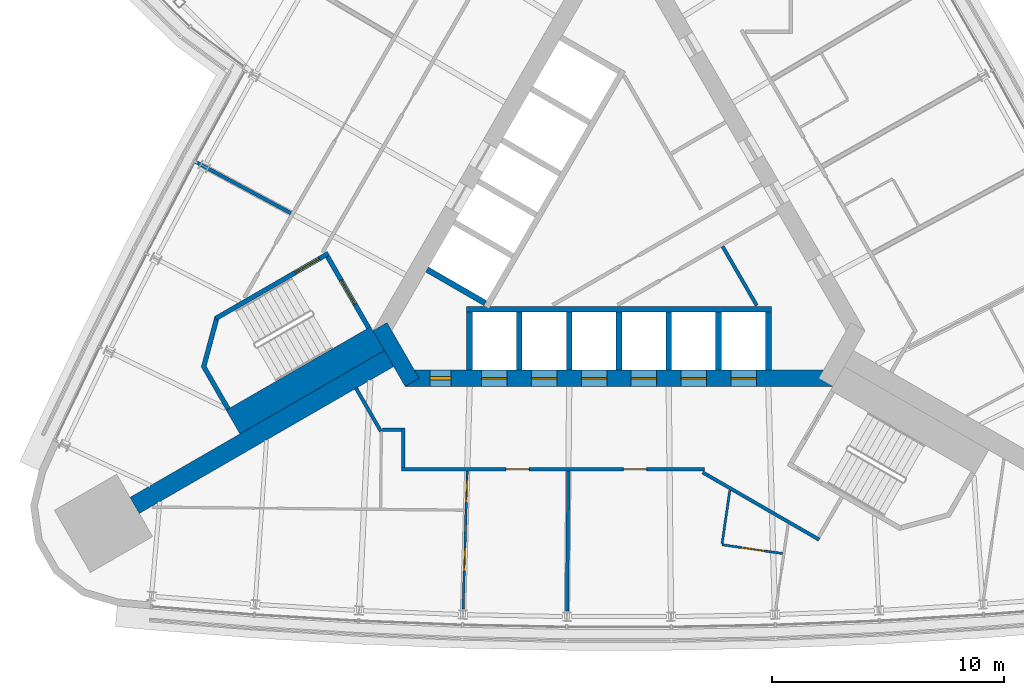
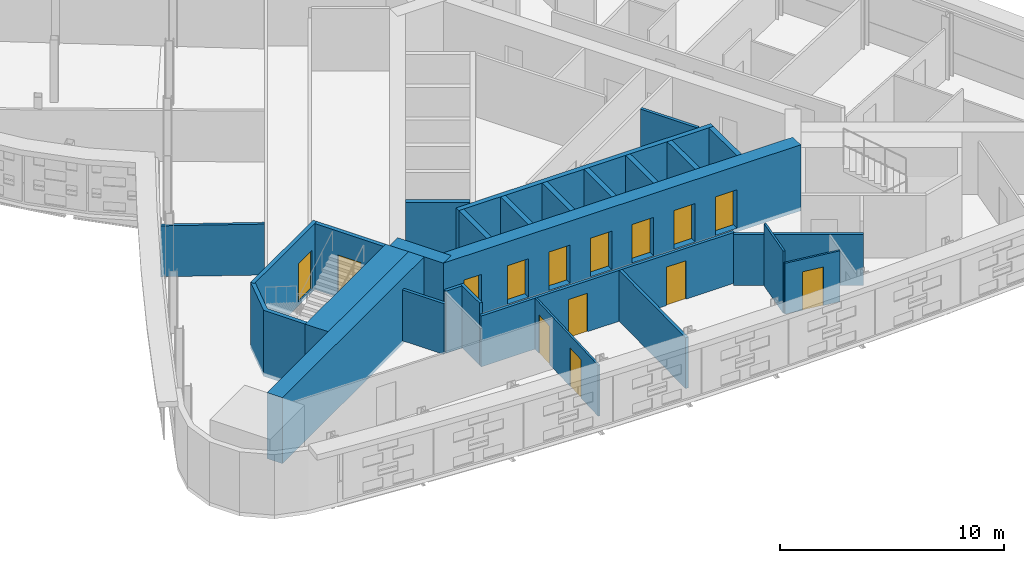
# One storey, part 11 of 17: 27 walls, 14 doors, 14 openings.
"""IFC4 building model written with IfcOpenShell, lengths in metres."""

from ifc_helpers import new_model, si_unit, direction, frame, frame_2d, origin, place, context, subcontext, project, spatial, polyline, rectangle, outline, extrude, material, layer, layer_set, type_object, element, fill, save


model = new_model("IFC4")

# Units and contexts
model_context = context("Model", 3, precision=1e-05, world=origin(), true_north=direction((0.0, 1.0)))
body_context = subcontext(model_context, "Body", "Model", "MODEL_VIEW")
ifc_project = project(units=[si_unit("LENGTHUNIT", "METRE"), si_unit("AREAUNIT", "SQUARE_METRE"), si_unit("VOLUMEUNIT", "CUBIC_METRE"), si_unit("PLANEANGLEUNIT", "RADIAN"), si_unit("MASSUNIT", "GRAM", prefix="KILO")], contexts=[model_context])

# Site, building, storey
site_placement = place(None, origin())
site = spatial("IfcSite", under=ifc_project, at=site_placement, CompositionType="ELEMENT")
building_placement = place(site_placement, origin())
building = spatial("IfcBuilding", under=site, at=building_placement, Name="Noor Cloister Tower", CompositionType="ELEMENT")
storey_placement = place(building_placement, frame((0.0, 0.0, 98.699951171875)))
storey = spatial("IfcBuildingStorey", under=building, at=storey_placement, Name="L25", CompositionType="ELEMENT", Elevation=98.699951171875)

# Walls
ifc_material_1 = material(Name="Concrete C80/95", Category="concrete")
ifc_layer_1 = layer(ifc_material_1, 0.800048828125)
ifc_layer_set_1 = layer_set([ifc_layer_1], Name="Buttress wall 800 C80/95")
wall_type_1 = type_object("IfcWallType", Name="Buttress wall 800 C80/95", PredefinedType="SHEAR", material=ifc_layer_set_1)
wall_1_placement = place(storey_placement, frame((-9.921630859375, -5.728271484375, -0.199951171875), z_axis=(0.0, 0.0, 1.0), x_axis=(-0.866029086277, -0.499993621681, 0.0)))
element("IfcWall", 1, at=wall_1_placement, inside=storey, type_object=wall_type_1, Name="Buttress wall SW L25", PredefinedType="SHEAR", context=body_context, shape_type="SweptSolid", body=[
    extrude(rectangle(XDim=12.677490234375, YDim=0.800048828125, at=frame_2d((6.3388671875, 0.0))), origin(), (0.0, 0.0, 1.0), 3.60009765625),
])
ifc_material_2 = material(Name="Concrete C30/37", Category="concrete")
ifc_layer_2 = layer(ifc_material_2, 0.14990234375)
ifc_layer_set_2 = layer_set([ifc_layer_2], Name="Core partition 150 C30/37")
wall_type_2 = type_object("IfcWallType", Name="Core partition 150 C30/37", PredefinedType="PARTITIONING", material=ifc_layer_set_2)
wall_2_placement = place(storey_placement, frame((5.944091796875, -3.439208984375, 0.0), z_axis=(0.0, 0.0, 1.0), x_axis=(-0.499997367627, 0.86602692358, 0.0)))
element("IfcWall", 2, at=wall_2_placement, inside=storey, type_object=wall_type_2, Name="Core room partition L25 2", PredefinedType="PARTITIONING", context=body_context, shape_type="SweptSolid", body=[
    extrude(rectangle(XDim=2.94677734375, YDim=0.14990234375, at=frame_2d((1.473388671875, 0.0))), origin(), (0.0, 0.0, 1.0), 3.400146484375),
])

# Wall, openings, doors
ifc_material_3 = material(Name="Concrete C80/95", Category="concrete")
ifc_layer_3 = layer(ifc_material_3, 0.699951171875)
ifc_layer_set_3 = layer_set([ifc_layer_3], Name="Core wall 700 C80/95")
wall_type_3 = type_object("IfcWallType", Name="Core wall 700 C80/95", PredefinedType="SHEAR", material=ifc_layer_set_3)
wall_3_placement = place(storey_placement, frame((-9.228759765625, -6.578125, -0.199951171875), z_axis=(0.0, 0.0, 1.0), x_axis=(1.0, 0.0, 0.0)))
wall_3 = element("IfcWall", 3, at=wall_3_placement, inside=storey, type_object=wall_type_3, Name="Core wall L25 1", PredefinedType="SHEAR", context=body_context, shape_type="SweptSolid", body=[
    extrude(rectangle(XDim=18.45751953125, YDim=0.699951171875, at=frame_2d((9.228759765625, 0.0))), origin(), (0.0, 0.0, 1.0), 3.60009765625),
])
opening_1_placement = place(wall_3_placement, frame((3.3037109375, 0.0, 0.199951171875)))
opening_1 = element("IfcOpeningElement", 4, at=opening_1_placement, cuts=wall_3, Name="Opening L25-LR1", PredefinedType="OPENING", context=body_context, shape_type="SweptSolid", body=[
    extrude(rectangle(XDim=1.10009765625, YDim=2.10009765625, at=frame_2d((0.550048828125, 1.050048828125))), frame((0.0, 0.35986328125, 0.0), z_axis=(0.0, -1.0, 0.0), x_axis=(1.0, 0.0, 0.0)), (0.0, 0.0, 1.0), 0.719970703125),
])
opening_2_placement = place(wall_3_placement, frame((5.45361328125, 0.0, 0.199951171875)))
opening_2 = element("IfcOpeningElement", 5, at=opening_2_placement, cuts=wall_3, Name="Opening L25-LR2", PredefinedType="OPENING", context=body_context, shape_type="SweptSolid", body=[
    extrude(rectangle(XDim=1.10009765625, YDim=2.10009765625, at=frame_2d((0.550048828125, 1.050048828125))), frame((0.0, 0.35986328125, 0.0), z_axis=(0.0, -1.0, 0.0), x_axis=(1.0, 0.0, 0.0)), (0.0, 0.0, 1.0), 0.719970703125),
])
opening_3_placement = place(wall_3_placement, frame((7.603759765625, 0.0, 0.199951171875)))
opening_3 = element("IfcOpeningElement", 6, at=opening_3_placement, cuts=wall_3, Name="Opening L25-LR3", PredefinedType="OPENING", context=body_context, shape_type="SweptSolid", body=[
    extrude(rectangle(XDim=1.10009765625, YDim=2.10009765625, at=frame_2d((0.550048828125, 1.050048828125))), frame((0.0, 0.35986328125, 0.0), z_axis=(0.0, -1.0, 0.0), x_axis=(1.0, 0.0, 0.0)), (0.0, 0.0, 1.0), 0.719970703125),
])
opening_4_placement = place(wall_3_placement, frame((9.753662109375, 0.0, 0.199951171875)))
opening_4 = element("IfcOpeningElement", 7, at=opening_4_placement, cuts=wall_3, Name="Opening L25-LR4", PredefinedType="OPENING", context=body_context, shape_type="SweptSolid", body=[
    extrude(rectangle(XDim=1.10009765625, YDim=2.10009765625, at=frame_2d((0.550048828125, 1.050048828125))), frame((0.0, 0.35986328125, 0.0), z_axis=(0.0, -1.0, 0.0), x_axis=(1.0, 0.0, 0.0)), (0.0, 0.0, 1.0), 0.719970703125),
])
opening_5_placement = place(wall_3_placement, frame((11.90380859375, 0.0, 0.199951171875)))
opening_5 = element("IfcOpeningElement", 8, at=opening_5_placement, cuts=wall_3, Name="Opening L25-LR5", PredefinedType="OPENING", context=body_context, shape_type="SweptSolid", body=[
    extrude(rectangle(XDim=1.10009765625, YDim=2.10009765625, at=frame_2d((0.550048828125, 1.050048828125))), frame((0.0, 0.35986328125, 0.0), z_axis=(0.0, -1.0, 0.0), x_axis=(1.0, 0.0, 0.0)), (0.0, 0.0, 1.0), 0.719970703125),
])
opening_6_placement = place(wall_3_placement, frame((14.0537109375, 0.0, 0.199951171875)))
opening_6 = element("IfcOpeningElement", 9, at=opening_6_placement, cuts=wall_3, Name="Opening L25-LR6", PredefinedType="OPENING", context=body_context, shape_type="SweptSolid", body=[
    extrude(rectangle(XDim=1.10009765625, YDim=2.10009765625, at=frame_2d((0.550048828125, 1.050048828125))), frame((0.0, 0.35986328125, 0.0), z_axis=(0.0, -1.0, 0.0), x_axis=(1.0, 0.0, 0.0)), (0.0, 0.0, 1.0), 0.719970703125),
])
opening_7_placement = place(wall_3_placement, frame((1.078857421875, 0.0, 0.199951171875)))
opening_7 = element("IfcOpeningElement", 10, at=opening_7_placement, cuts=wall_3, Name="Opening L25-907", PredefinedType="OPENING", context=body_context, shape_type="SweptSolid", body=[
    extrude(rectangle(XDim=0.89990234375, YDim=2.10009765625, at=frame_2d((0.449951171875, 1.050048828125))), frame((0.0, 0.35986328125, 0.0), z_axis=(0.0, -1.0, 0.0), x_axis=(1.0, 0.0, 0.0)), (0.0, 0.0, 1.0), 0.719970703125),
])
ifc_material_4 = material(Name="Steel", Category="steel")
door_type_1 = type_object("IfcDoorType", Name="Core door 900 x 2100 FD60", OperationType="SINGLE_SWING_LEFT", PredefinedType="DOOR", material=ifc_material_4)
door_1_placement = place(opening_7_placement, origin())
door_1 = element("IfcDoor", 11, at=door_1_placement, inside=storey, type_object=door_type_1, Name="Core door 7 L25", OperationType="SINGLE_SWING_LEFT", OverallHeight=2.10009765625, OverallWidth=0.89990234375, PredefinedType="DOOR", context=body_context, shape_type="SweptSolid", body=[
    extrude(rectangle(XDim=0.89990234375, YDim=2.10009765625, at=frame_2d((0.449951171875, 1.050048828125))), frame((0.0, 0.074951171875, 0.0), z_axis=(0.0, -1.0, 0.0), x_axis=(1.0, 0.0, 0.0)), (0.0, 0.0, 1.0), 0.14990234375),
])
fill(opening_7, door_1)
ifc_material_5 = material(Name="Stainless steel", Category="steel")
door_type_2 = type_object("IfcDoorType", Name="Lift landing door 1100 x 2100", OperationType="DOUBLE_DOOR_SLIDING", PredefinedType="DOOR", material=ifc_material_5)
door_2_placement = place(opening_1_placement, origin())
door_2 = element("IfcDoor", 12, at=door_2_placement, inside=storey, type_object=door_type_2, Name="Landing door LR1 L25", OperationType="DOUBLE_DOOR_SLIDING", OverallHeight=2.10009765625, OverallWidth=1.10009765625, PredefinedType="DOOR", context=body_context, shape_type="SweptSolid", body=[
    extrude(rectangle(XDim=1.10009765625, YDim=2.10009765625, at=frame_2d((0.550048828125, 1.050048828125))), frame((0.0, 0.02490234375, 0.0), z_axis=(0.0, -1.0, 0.0), x_axis=(1.0, 0.0, 0.0)), (0.0, 0.0, 1.0), 0.050048828125),
])
fill(opening_1, door_2)
door_3_placement = place(opening_2_placement, origin())
door_3 = element("IfcDoor", 13, at=door_3_placement, inside=storey, type_object=door_type_2, Name="Landing door LR2 L25", OperationType="DOUBLE_DOOR_SLIDING", OverallHeight=2.10009765625, OverallWidth=1.10009765625, PredefinedType="DOOR", context=body_context, shape_type="SweptSolid", body=[
    extrude(rectangle(XDim=1.10009765625, YDim=2.10009765625, at=frame_2d((0.550048828125, 1.050048828125))), frame((0.0, 0.02490234375, 0.0), z_axis=(0.0, -1.0, 0.0), x_axis=(1.0, 0.0, 0.0)), (0.0, 0.0, 1.0), 0.050048828125),
])
fill(opening_2, door_3)
door_4_placement = place(opening_3_placement, origin())
door_4 = element("IfcDoor", 14, at=door_4_placement, inside=storey, type_object=door_type_2, Name="Landing door LR3 L25", OperationType="DOUBLE_DOOR_SLIDING", OverallHeight=2.10009765625, OverallWidth=1.10009765625, PredefinedType="DOOR", context=body_context, shape_type="SweptSolid", body=[
    extrude(rectangle(XDim=1.10009765625, YDim=2.10009765625, at=frame_2d((0.550048828125, 1.050048828125))), frame((0.0, 0.02490234375, 0.0), z_axis=(0.0, -1.0, 0.0), x_axis=(1.0, 0.0, 0.0)), (0.0, 0.0, 1.0), 0.050048828125),
])
fill(opening_3, door_4)
door_5_placement = place(opening_4_placement, origin())
door_5 = element("IfcDoor", 15, at=door_5_placement, inside=storey, type_object=door_type_2, Name="Landing door LR4 L25", OperationType="DOUBLE_DOOR_SLIDING", OverallHeight=2.10009765625, OverallWidth=1.10009765625, PredefinedType="DOOR", context=body_context, shape_type="SweptSolid", body=[
    extrude(rectangle(XDim=1.10009765625, YDim=2.10009765625, at=frame_2d((0.550048828125, 1.050048828125))), frame((0.0, 0.02490234375, 0.0), z_axis=(0.0, -1.0, 0.0), x_axis=(1.0, 0.0, 0.0)), (0.0, 0.0, 1.0), 0.050048828125),
])
fill(opening_4, door_5)
door_6_placement = place(opening_5_placement, origin())
door_6 = element("IfcDoor", 16, at=door_6_placement, inside=storey, type_object=door_type_2, Name="Landing door LR5 L25", OperationType="DOUBLE_DOOR_SLIDING", OverallHeight=2.10009765625, OverallWidth=1.10009765625, PredefinedType="DOOR", context=body_context, shape_type="SweptSolid", body=[
    extrude(rectangle(XDim=1.10009765625, YDim=2.10009765625, at=frame_2d((0.550048828125, 1.050048828125))), frame((0.0, 0.02490234375, 0.0), z_axis=(0.0, -1.0, 0.0), x_axis=(1.0, 0.0, 0.0)), (0.0, 0.0, 1.0), 0.050048828125),
])
fill(opening_5, door_6)
door_7_placement = place(opening_6_placement, origin())
door_7 = element("IfcDoor", 17, at=door_7_placement, inside=storey, type_object=door_type_2, Name="Landing door LR6 L25", OperationType="DOUBLE_DOOR_SLIDING", OverallHeight=2.10009765625, OverallWidth=1.10009765625, PredefinedType="DOOR", context=body_context, shape_type="SweptSolid", body=[
    extrude(rectangle(XDim=1.10009765625, YDim=2.10009765625, at=frame_2d((0.550048828125, 1.050048828125))), frame((0.0, 0.02490234375, 0.0), z_axis=(0.0, -1.0, 0.0), x_axis=(1.0, 0.0, 0.0)), (0.0, 0.0, 1.0), 0.050048828125),
])
fill(opening_6, door_7)

# Wall
wall_4_placement = place(storey_placement, frame((-10.311279296875, -4.353271484375, -0.199951171875), z_axis=(0.0, 0.0, 1.0), x_axis=(0.500042739161, -0.866000726912, 0.0)))
element("IfcWall", 18, at=wall_4_placement, inside=storey, type_object=wall_type_3, Name="Core wall L25 6", PredefinedType="SHEAR", context=body_context, shape_type="SweptSolid", body=[
    extrude(rectangle(XDim=2.771240234375, YDim=0.699951171875, at=frame_2d((1.3857421875, 0.0))), origin(), (0.0, 0.0, 1.0), 3.60009765625),
])

# Wall, openings, doors
ifc_material_6 = material(Name="Gypsum board partition on steel studs, 150 mm", Category="steel")
ifc_layer_4 = layer(ifc_material_6, 0.14990234375)
ifc_layer_set_4 = layer_set([ifc_layer_4], Name="Flat wall 150")
wall_type_4 = type_object("IfcWallType", Name="Flat wall 150", PredefinedType="PARTITIONING", material=ifc_layer_set_4)
wall_5_placement = place(storey_placement, frame((3.68896484375, -10.503173828125, 0.0), z_axis=(0.0, 0.0, 1.0), x_axis=(-1.0, 0.0, 0.0)))
wall_5 = element("IfcWall", 19, at=wall_5_placement, inside=storey, type_object=wall_type_4, Name="Flat wall 150 L25 004", PredefinedType="PARTITIONING", context=body_context, shape_type="SweptSolid", body=[
    extrude(rectangle(XDim=13.067626953125, YDim=0.14990234375, at=frame_2d((6.53369140625, 0.0))), origin(), (0.0, 0.0, 1.0), 2.778076171875),
])
opening_8_placement = place(wall_5_placement, frame((7.567626953125, 0.0, 0.0)))
opening_8 = element("IfcOpeningElement", 20, at=opening_8_placement, cuts=wall_5, Name="Opening L25-008", PredefinedType="OPENING", context=body_context, shape_type="SweptSolid", body=[
    extrude(rectangle(XDim=1.0, YDim=2.10009765625, at=frame_2d((0.5, 1.050048828125))), frame((0.0, 0.0849609375, 0.0), z_axis=(0.0, -1.0, 0.0), x_axis=(1.0, 0.0, 0.0)), (0.0, 0.0, 1.0), 0.169921875),
])
opening_9_placement = place(wall_5_placement, frame((2.500732421875, 0.0, 0.0)))
opening_9 = element("IfcOpeningElement", 21, at=opening_9_placement, cuts=wall_5, Name="Opening L25-009", PredefinedType="OPENING", context=body_context, shape_type="SweptSolid", body=[
    extrude(rectangle(XDim=1.0, YDim=2.10009765625, at=frame_2d((0.5, 1.050048828125))), frame((0.0, 0.0849609375, 0.0), z_axis=(0.0, -1.0, 0.0), x_axis=(1.0, 0.0, 0.0)), (0.0, 0.0, 1.0), 0.169921875),
])
ifc_material_7 = material(Name="Timber door leaf with steel frame", Category="steel")
door_type_3 = type_object("IfcDoorType", Name="Flat entrance door 1000 FD60S", OperationType="NOTDEFINED", PredefinedType="DOOR", material=ifc_material_7)
door_8_placement = place(opening_8_placement, origin())
door_8 = element("IfcDoor", 22, at=door_8_placement, inside=storey, type_object=door_type_3, Name="Flat entrance door 1000 L25-008", OperationType="SINGLE_SWING_RIGHT", OverallHeight=2.10009765625, OverallWidth=1.0, PredefinedType="DOOR", context=body_context, shape_type="SweptSolid", body=[
    extrude(rectangle(XDim=1.0, YDim=2.10009765625, at=frame_2d((0.5, 1.050048828125))), frame((0.0, 0.02490234375, 0.0), z_axis=(0.0, -1.0, 0.0), x_axis=(1.0, 0.0, 0.0)), (0.0, 0.0, 1.0), 0.050048828125),
])
fill(opening_8, door_8)
door_9_placement = place(opening_9_placement, origin())
door_9 = element("IfcDoor", 23, at=door_9_placement, inside=storey, type_object=door_type_3, Name="Flat entrance door 1000 L25-009", OperationType="SINGLE_SWING_LEFT", OverallHeight=2.10009765625, OverallWidth=1.0, PredefinedType="DOOR", context=body_context, shape_type="SweptSolid", body=[
    extrude(rectangle(XDim=1.0, YDim=2.10009765625, at=frame_2d((0.5, 1.050048828125))), frame((0.0, 0.02490234375, 0.0), z_axis=(0.0, -1.0, 0.0), x_axis=(1.0, 0.0, 0.0)), (0.0, 0.0, 1.0), 0.050048828125),
])
fill(opening_9, door_9)

# Walls
wall_6_placement = place(storey_placement, frame((3.61328125, -10.643310546875, 0.0), z_axis=(0.0, 0.0, 1.0), x_axis=(0.866042728627, -0.499969991291, 0.0)))
element("IfcWall", 24, at=wall_6_placement, inside=storey, type_object=wall_type_4, Name="Flat wall 150 L25 005", PredefinedType="PARTITIONING", context=body_context, shape_type="SweptSolid", body=[
    extrude(rectangle(XDim=5.805419921875, YDim=0.14990234375, at=frame_2d((2.90283203125, 0.0))), origin(), (0.0, 0.0, 1.0), 2.778076171875),
])
wall_7_placement = place(storey_placement, frame((-11.34521484375, -7.01220703125, 0.0), z_axis=(0.0, 0.0, 1.0), x_axis=(0.499998569178, -0.866026229868, 0.0)))
element("IfcWall", 25, at=wall_7_placement, inside=storey, type_object=wall_type_4, Name="Flat wall 150 L25 011", PredefinedType="PARTITIONING", context=body_context, shape_type="SweptSolid", body=[
    extrude(rectangle(XDim=2.14306640625, YDim=0.14990234375, at=frame_2d((1.071533203125, 0.0))), origin(), (0.0, 0.0, 1.0), 2.778076171875),
])
wall_8_placement = place(storey_placement, frame((-9.3037109375, -10.42822265625, 0.0), z_axis=(0.0, 0.0, 1.0), x_axis=(0.0, 1.0, 0.0)))
element("IfcWall", 26, at=wall_8_placement, inside=storey, type_object=wall_type_4, Name="Flat wall 150 L25 014", PredefinedType="PARTITIONING", context=body_context, shape_type="SweptSolid", body=[
    extrude(rectangle(XDim=1.699951171875, YDim=0.14990234375, at=frame_2d((0.85009765625, 0.0))), origin(), (0.0, 0.0, 1.0), 3.400146484375),
])
wall_9_placement = place(storey_placement, frame((-10.208740234375, -8.80322265625, 0.0), z_axis=(0.0, 0.0, 1.0), x_axis=(1.0, 0.0, 0.0)))
element("IfcWall", 27, at=wall_9_placement, inside=storey, type_object=wall_type_4, Name="Flat wall 150 L25 015", PredefinedType="PARTITIONING", context=body_context, shape_type="SweptSolid", body=[
    extrude(rectangle(XDim=0.830078125, YDim=0.14990234375, at=frame_2d((0.4150390625, 0.0))), origin(), (0.0, 0.0, 1.0), 3.400146484375),
])
wall_10_placement = place(storey_placement, frame((-2.2421875, -16.616455078125, 0.0), z_axis=(0.0, 0.0, 1.0), x_axis=(0.009866078621, 0.999951329062, 0.0)))
element("IfcWall", 28, at=wall_10_placement, inside=storey, type_object=wall_type_4, Name="Flat wall 150 L25 021", PredefinedType="PARTITIONING", context=body_context, shape_type="SweptSolid", body=[
    extrude(rectangle(XDim=6.037841796875, YDim=0.14990234375, at=frame_2d((3.01904296875, 0.0))), origin(), (0.0, 0.0, 1.0), 2.778076171875),
])
wall_11_placement = place(storey_placement, frame((-18.239990234375, 2.7431640625, 0.0), z_axis=(0.0, 0.0, 1.0), x_axis=(0.88042716359, -0.474181410024, 0.0)))
element("IfcWall", 29, at=wall_11_placement, inside=storey, type_object=wall_type_4, Name="Flat wall 150 L25 022", PredefinedType="PARTITIONING", context=body_context, shape_type="SweptSolid", body=[
    extrude(rectangle(XDim=4.639404296875, YDim=0.14990234375, at=frame_2d((2.31982421875, 0.0))), origin(), (0.0, 0.0, 1.0), 2.778076171875),
])

# Wall, openings, doors
ifc_material_8 = material(Name="Gypsum board partition on steel studs, 100 mm", Category="steel")
ifc_layer_5 = layer(ifc_material_8, 0.10009765625)
ifc_layer_set_5 = layer_set([ifc_layer_5], Name="Partition 100")
wall_type_5 = type_object("IfcWallType", Name="Partition 100", PredefinedType="PARTITIONING", material=ifc_layer_set_5)
wall_12_placement = place(storey_placement, frame((-6.725341796875, -16.5283203125, 0.0), z_axis=(0.0, 0.0, 1.0), x_axis=(0.029495492599, 0.999564913308, 0.0)))
wall_12 = element("IfcWall", 30, at=wall_12_placement, inside=storey, type_object=wall_type_5, Name="Partition 100 L25 027", PredefinedType="PARTITIONING", context=body_context, shape_type="SweptSolid", body=[
    extrude(rectangle(XDim=5.951416015625, YDim=0.10009765625, at=frame_2d((2.9755859375, 0.0))), origin(), (0.0, 0.0, 1.0), 2.778076171875),
])
opening_10_placement = place(wall_12_placement, frame((4.598388671875, 0.0, 0.0)))
opening_10 = element("IfcOpeningElement", 31, at=opening_10_placement, cuts=wall_12, Name="Opening L25-017", PredefinedType="OPENING", context=body_context, shape_type="SweptSolid", body=[
    extrude(rectangle(XDim=1.0, YDim=2.10009765625, at=frame_2d((0.5, 1.050048828125))), frame((0.0, 0.06005859375, 0.0), z_axis=(0.0, -1.0, 0.0), x_axis=(1.0, 0.0, 0.0)), (0.0, 0.0, 1.0), 0.1201171875),
])
opening_11_placement = place(wall_12_placement, frame((1.634521484375, 0.0, 0.0)))
opening_11 = element("IfcOpeningElement", 32, at=opening_11_placement, cuts=wall_12, Name="Opening L25-018", PredefinedType="OPENING", context=body_context, shape_type="SweptSolid", body=[
    extrude(rectangle(XDim=1.0, YDim=2.10009765625, at=frame_2d((0.5, 1.050048828125))), frame((0.0, 0.06005859375, 0.0), z_axis=(0.0, -1.0, 0.0), x_axis=(1.0, 0.0, 0.0)), (0.0, 0.0, 1.0), 0.1201171875),
])
ifc_material_9 = material(Name="Timber door leaf with steel frame", Category="steel")
door_type_4 = type_object("IfcDoorType", Name="Interior door 1000", OperationType="NOTDEFINED", PredefinedType="DOOR", material=ifc_material_9)
door_10_placement = place(opening_10_placement, origin())
door_10 = element("IfcDoor", 33, at=door_10_placement, inside=storey, type_object=door_type_4, Name="Interior door 1000 L25-017", OperationType="SINGLE_SWING_RIGHT", OverallHeight=2.10009765625, OverallWidth=1.0, PredefinedType="DOOR", context=body_context, shape_type="SweptSolid", body=[
    extrude(rectangle(XDim=1.0, YDim=2.10009765625, at=frame_2d((0.5, 1.050048828125))), frame((0.0, 0.02490234375, 0.0), z_axis=(0.0, -1.0, 0.0), x_axis=(1.0, 0.0, 0.0)), (0.0, 0.0, 1.0), 0.050048828125),
])
fill(opening_10, door_10)
door_11_placement = place(opening_11_placement, origin())
door_11 = element("IfcDoor", 34, at=door_11_placement, inside=storey, type_object=door_type_4, Name="Interior door 1000 L25-018", OperationType="SINGLE_SWING_LEFT", OverallHeight=2.10009765625, OverallWidth=1.0, PredefinedType="DOOR", context=body_context, shape_type="SweptSolid", body=[
    extrude(rectangle(XDim=1.0, YDim=2.10009765625, at=frame_2d((0.5, 1.050048828125))), frame((0.0, 0.02490234375, 0.0), z_axis=(0.0, -1.0, 0.0), x_axis=(1.0, 0.0, 0.0)), (0.0, 0.0, 1.0), 0.050048828125),
])
fill(opening_11, door_11)

# Wall, opening, door
wall_13_placement = place(storey_placement, frame((4.44287109375, -13.76220703125, 0.0), z_axis=(0.0, 0.0, 1.0), x_axis=(0.989603850573, -0.143820092239, 0.0)))
wall_13 = element("IfcWall", 35, at=wall_13_placement, inside=storey, type_object=wall_type_5, Name="Partition 100 L25 032", PredefinedType="PARTITIONING", context=body_context, shape_type="SweptSolid", body=[
    extrude(rectangle(XDim=2.64990234375, YDim=0.10009765625, at=frame_2d((1.324951171875, 0.0))), origin(), (0.0, 0.0, 1.0), 2.778076171875),
])
opening_12_placement = place(wall_13_placement, frame((0.85009765625, 0.0, 0.0)))
opening_12 = element("IfcOpeningElement", 36, at=opening_12_placement, cuts=wall_13, Name="Opening L25-021", PredefinedType="OPENING", context=body_context, shape_type="SweptSolid", body=[
    extrude(rectangle(XDim=1.0, YDim=2.10009765625, at=frame_2d((0.5, 1.050048828125))), frame((0.0, 0.06005859375, 0.0), z_axis=(0.0, -1.0, 0.0), x_axis=(1.0, 0.0, 0.0)), (0.0, 0.0, 1.0), 0.1201171875),
])
door_12_placement = place(opening_12_placement, origin())
door_12 = element("IfcDoor", 37, at=door_12_placement, inside=storey, type_object=door_type_4, Name="Interior door 1000 L25-021", OperationType="SINGLE_SWING_RIGHT", OverallHeight=2.10009765625, OverallWidth=1.0, PredefinedType="DOOR", context=body_context, shape_type="SweptSolid", body=[
    extrude(rectangle(XDim=1.0, YDim=2.10009765625, at=frame_2d((0.5, 1.050048828125))), frame((0.0, 0.02490234375, 0.0), z_axis=(0.0, -1.0, 0.0), x_axis=(1.0, 0.0, 0.0)), (0.0, 0.0, 1.0), 0.050048828125),
])
fill(opening_12, door_12)

# Walls
wall_14_placement = place(storey_placement, frame((4.782470703125, -11.42626953125, 0.0), z_axis=(0.0, 0.0, 1.0), x_axis=(-0.14392103122, -0.989589175756, 0.0)))
element("IfcWall", 38, at=wall_14_placement, inside=storey, type_object=wall_type_5, Name="Partition 100 L25 035", PredefinedType="PARTITIONING", context=body_context, shape_type="SweptSolid", body=[
    extrude(rectangle(XDim=2.310546875, YDim=0.10009765625, at=frame_2d((1.1552734375, 0.0))), origin(), (0.0, 0.0, 1.0), 3.400146484375),
])
ifc_material_10 = material(Name="Concrete C80/95", Category="concrete")
ifc_layer_6 = layer(ifc_material_10, 0.25)
ifc_layer_set_6 = layer_set([ifc_layer_6], Name="Shaft wall 250 C80/95")
wall_type_6 = type_object("IfcWallType", Name="Shaft wall 250 C80/95", PredefinedType="PARTITIONING", material=ifc_layer_set_6)
for number, where, z_axis, x_axis, name in (
    (39, (-6.449951171875, -6.228271484375, -0.199951171875), (0.0, 0.0, 1.0), (0.0, 1.0, 0.0), "Lift shaft wall L25 S 1"),
    (40, (-4.300048828125, -6.228271484375, -0.199951171875), (0.0, 0.0, 1.0), (0.0, 1.0, 0.0), "Lift shaft wall L25 S 2"),
    (41, (-2.14990234375, -6.228271484375, -0.199951171875), (0.0, 0.0, 1.0), (0.0, 1.0, 0.0), "Lift shaft wall L25 S 3"),
    (42, (0.0, -6.228271484375, -0.199951171875), (0.0, 0.0, 1.0), (0.0, 1.0, 0.0), "Lift shaft wall L25 S 4"),
    (43, (2.14990234375, -6.228271484375, -0.199951171875), (0.0, 0.0, 1.0), (0.0, 1.0, 0.0), "Lift shaft wall L25 S 5"),
    (44, (4.300048828125, -6.228271484375, -0.199951171875), (0.0, 0.0, 1.0), (0.0, 1.0, 0.0), "Lift shaft wall L25 S 6"),
    (45, (6.449951171875, -6.228271484375, -0.199951171875), (0.0, 0.0, 1.0), (0.0, 1.0, 0.0), "Lift shaft wall L25 S 7"),
):
    element("IfcWall", number, at=place(storey_placement, frame(where, z_axis=z_axis, x_axis=x_axis)), inside=storey, type_object=wall_type_6, Name=name, PredefinedType="PARTITIONING", context=body_context, shape_type="SweptSolid", body=[
        extrude(rectangle(XDim=2.5, YDim=0.25, at=frame_2d((1.25, 0.0))), origin(), (0.0, 0.0, 1.0), 3.60009765625),
    ])
wall_15_placement = place(storey_placement, frame((-6.574951171875, -3.603271484375, 0.0), z_axis=(0.0, 0.0, 1.0), x_axis=(1.0, 0.0, 0.0)))
element("IfcWall", 46, at=wall_15_placement, inside=storey, type_object=wall_type_6, Name="Lift shaft back wall L25 S", PredefinedType="PARTITIONING", context=body_context, shape_type="SweptSolid", body=[
    extrude(rectangle(XDim=13.14990234375, YDim=0.25, at=frame_2d((6.574951171875, 0.0))), origin(), (0.0, 0.0, 1.0), 3.400146484375),
])
wall_16_placement = place(storey_placement, frame((-8.28125, -1.88720703125, -0.199951171875), z_axis=(0.0, 0.0, 1.0), x_axis=(0.866032775405, -0.499987231761, 0.0)))
element("IfcWall", 47, at=wall_16_placement, inside=storey, type_object=wall_type_6, Name="Lift shaft wall L25 NW 6", PredefinedType="PARTITIONING", context=body_context, shape_type="SweptSolid", body=[
    extrude(rectangle(XDim=2.89990234375, YDim=0.25, at=frame_2d((1.449951171875, 0.0))), origin(), (0.0, 0.0, 1.0), 3.60009765625),
])
ifc_material_11 = material(Name="Concrete C80/95", Category="concrete")
ifc_layer_7 = layer(ifc_material_11, 1.18603515625)
ifc_layer_set_7 = layer_set([ifc_layer_7], Name="Stair enclosure wall 1186 C80/95")
wall_type_7 = type_object("IfcWallType", Name="Stair enclosure wall 1186 C80/95", PredefinedType="SHEAR", material=ifc_layer_set_7)
wall_17_placement = place(storey_placement, frame((-10.41796875, -4.868408203125, -0.199951171875), z_axis=(0.0, 0.0, 1.0), x_axis=(-0.866018442252, -0.500012057535, 0.0)))
element("IfcWall", 48, at=wall_17_placement, inside=storey, type_object=wall_type_7, Name="Stair enclosure wall ST2 L25 riser side", PredefinedType="SHEAR", context=body_context, shape_type="SweptSolid", body=[
    extrude(rectangle(XDim=7.199951171875, YDim=1.185546875, at=frame_2d((3.60009765625, 0.0))), origin(), (0.0, 0.0, 1.0), 3.60009765625),
])

# Wall, opening, door
ifc_material_12 = material(Name="Concrete C80/95", Category="concrete")
ifc_layer_8 = layer(ifc_material_12, 0.199951171875)
ifc_layer_set_8 = layer_set([ifc_layer_8], Name="Stair enclosure wall 200 C80/95")
wall_type_8 = type_object("IfcWallType", Name="Stair enclosure wall 200 C80/95", PredefinedType="SHEAR", material=ifc_layer_set_8)
wall_18_placement = place(storey_placement, frame((-12.575927734375, -1.33056640625, -0.199951171875), z_axis=(0.0, 0.0, 1.0), x_axis=(0.499970499736, -0.8660424351, 0.0)))
wall_18 = element("IfcWall", 49, at=wall_18_placement, inside=storey, type_object=wall_type_8, Name="Stair enclosure wall ST2 L25 near end", PredefinedType="SHEAR", context=body_context, shape_type="SweptSolid", body=[
    extrude(rectangle(XDim=3.550048828125, YDim=0.199951171875, at=frame_2d((1.77490234375, 0.0))), origin(), (0.0, 0.0, 1.0), 3.60009765625),
])
opening_13_placement = place(wall_18_placement, frame((1.175048828125, 0.0, 0.199951171875)))
opening_13 = element("IfcOpeningElement", 50, at=opening_13_placement, cuts=wall_18, Name="Opening L25-ST2L", PredefinedType="OPENING", context=body_context, shape_type="SweptSolid", body=[
    extrude(rectangle(XDim=1.199951171875, YDim=2.10009765625, at=frame_2d((0.60009765625, 1.050048828125))), frame((0.0, 0.10986328125, 0.0), z_axis=(0.0, -1.0, 0.0), x_axis=(1.0, 0.0, 0.0)), (0.0, 0.0, 1.0), 0.219970703125),
])
ifc_material_13 = material(Name="Steel", Category="steel")
door_type_5 = type_object("IfcDoorType", Name="Stair door 1200 x 2100 FD120", OperationType="SINGLE_SWING_LEFT", PredefinedType="DOOR", material=ifc_material_13)
door_13_placement = place(opening_13_placement, origin())
door_13 = element("IfcDoor", 51, at=door_13_placement, inside=storey, type_object=door_type_5, Name="Stair door ST2 L25", OperationType="SINGLE_SWING_RIGHT", OverallHeight=2.10009765625, OverallWidth=1.199951171875, PredefinedType="DOOR", context=body_context, shape_type="SweptSolid", body=[
    extrude(rectangle(XDim=1.199951171875, YDim=2.10009765625, at=frame_2d((0.60009765625, 1.050048828125))), frame((0.0, 0.02490234375, 0.0), z_axis=(0.0, -1.0, 0.0), x_axis=(1.0, 0.0, 0.0)), (0.0, 0.0, 1.0), 0.050048828125),
])
fill(opening_13, door_13)

wall_19_placement = place(storey_placement, frame((-12.539306640625, -1.194091796875, -0.199951171875), z_axis=(0.0, 0.0, 1.0), x_axis=(-0.866045472092, -0.499965239061, 0.0)))
wall_19 = element("IfcWall", 52, at=wall_19_placement, inside=storey, type_object=wall_type_8, Name="Stair enclosure wall ST2 L25 outer side", PredefinedType="SHEAR", context=body_context, shape_type="SweptSolid", body=[
    extrude(rectangle(XDim=5.60009765625, YDim=0.199951171875, at=frame_2d((2.800048828125, 0.0))), origin(), (0.0, 0.0, 1.0), 3.60009765625),
])
opening_14_placement = place(wall_19_placement, frame((0.449951171875, 0.0, 0.199951171875)))
opening_14 = element("IfcOpeningElement", 53, at=opening_14_placement, cuts=wall_19, Name="Opening L25-ST2C", PredefinedType="OPENING", context=body_context, shape_type="SweptSolid", body=[
    extrude(rectangle(XDim=1.199951171875, YDim=2.10009765625, at=frame_2d((0.60009765625, 1.050048828125))), frame((0.0, 0.10986328125, 0.0), z_axis=(0.0, -1.0, 0.0), x_axis=(1.0, 0.0, 0.0)), (0.0, 0.0, 1.0), 0.219970703125),
])
door_14_placement = place(opening_14_placement, origin())
door_14 = element("IfcDoor", 54, at=door_14_placement, inside=storey, type_object=door_type_5, Name="Stair door ST2 L25", OperationType="SINGLE_SWING_LEFT", OverallHeight=2.10009765625, OverallWidth=1.199951171875, PredefinedType="DOOR", context=body_context, shape_type="SweptSolid", body=[
    extrude(rectangle(XDim=1.199951171875, YDim=2.10009765625, at=frame_2d((0.60009765625, 1.050048828125))), frame((0.0, 0.02490234375, 0.0), z_axis=(0.0, -1.0, 0.0), x_axis=(1.0, 0.0, 0.0)), (0.0, 0.0, 1.0), 0.050048828125),
])
fill(opening_14, door_14)

# Wall
ifc_material_14 = material(Name="Concrete C80/95", Category="concrete")
wall_type_9 = type_object("IfcWallType", Name="Stair far end wall C80/95", PredefinedType="SHEAR", material=ifc_material_14)
wall_20_placement = place(storey_placement, frame((0.0, 0.0, -0.199951171875)))
element("IfcWall", 55, at=wall_20_placement, inside=storey, type_object=wall_type_9, Name="Stair enclosure wall ST2 L25 far end", PredefinedType="SHEAR", context=body_context, shape_type="SweptSolid", body=[
    extrude(outline(polyline([(-17.439208984375, -3.907470703125), (-18.024658203125, -6.093017578125), (-16.94970703125, -7.955078125), (-16.776611328125, -7.85498046875), (-17.81005859375, -6.064697265625), (-17.267333984375, -4.039306640625), (-17.339111328125, -4.08056640625), (-17.339111328125, -4.08056640625), (-17.339111328125, -4.08056640625), (-17.339111328125, -4.08056640625), (-17.339111328125, -4.08056640625), (-17.339111328125, -4.08056640625), (-17.339111328125, -4.08056640625), (-17.339111328125, -4.08056640625), (-17.339111328125, -4.08056640625), (-17.339111328125, -4.08056640625), (-17.339111328125, -4.08056640625), (-17.339111328125, -4.08056640625), (-17.339111328125, -4.08056640625), (-17.339111328125, -4.08056640625), (-17.339111328125, -4.08056640625), (-17.339111328125, -4.08056640625), (-17.339111328125, -4.08056640625), (-17.439208984375, -3.907470703125)])), origin(), (0.0, 0.0, 1.0), 3.60009765625),
])

save(model, "model.ifc")
